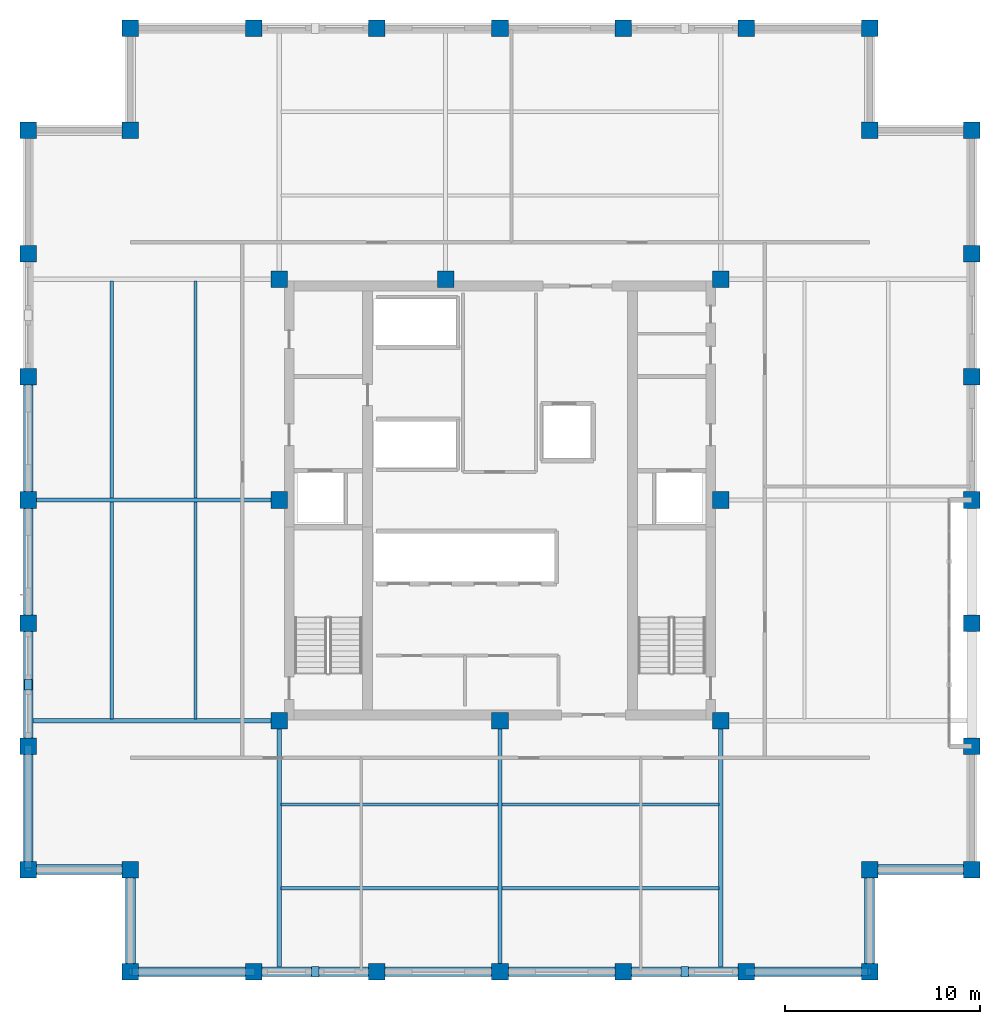
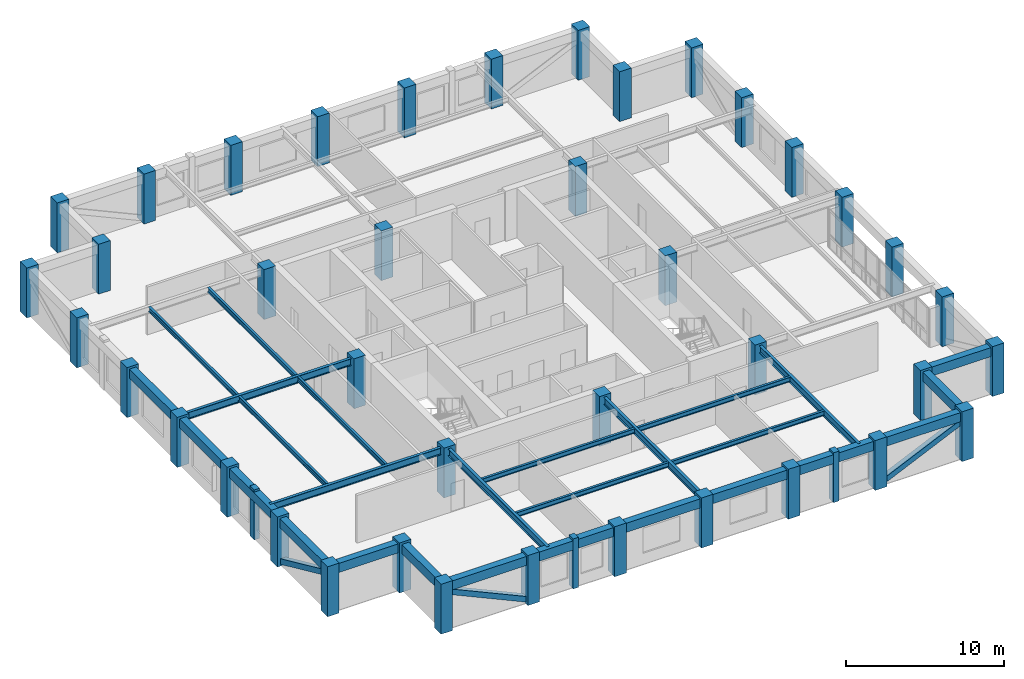
# One storey, part 1 of 10: 40 columns, 27 beams, 6 members.
"""IFC4 building model written with IfcOpenShell, lengths in metres."""

from ifc_helpers import new_model, si_unit, direction, frame, origin, origin_2d, place, context, subcontext, project, spatial, rectangle, hollow_rectangle, i_section, extrude, material, material_profile, profile_set, type_object, element, save


model = new_model("IFC4")

# Units and contexts
model_context = context("Model", 3, precision=1e-05, world=origin(), true_north=direction((0.0, 1.0)))
body_context = subcontext(model_context, "Body", "Model", "MODEL_VIEW")
ifc_project = project(units=[si_unit("LENGTHUNIT", "METRE"), si_unit("AREAUNIT", "SQUARE_METRE"), si_unit("VOLUMEUNIT", "CUBIC_METRE"), si_unit("PLANEANGLEUNIT", "RADIAN"), si_unit("MASSUNIT", "GRAM", prefix="KILO")], contexts=[model_context])

# Site, building, storey
site_placement = place(None, origin())
site = spatial("IfcSite", under=ifc_project, at=site_placement, CompositionType="ELEMENT")
building_placement = place(site_placement, origin())
building = spatial("IfcBuilding", under=site, at=building_placement, Name="Nhamokura Convention Tower", CompositionType="ELEMENT")
storey_placement = place(building_placement, frame((0.0, 0.0, 236.949951171875)))
storey = spatial("IfcBuildingStorey", under=building, at=storey_placement, Name="L58", CompositionType="ELEMENT", Elevation=236.949951171875)

# Columns
ifc_material_1 = material(Name="Concrete C50/60", Category="concrete")
ifc_material_profile_1 = material_profile(ifc_material_1, rectangle(XDim=0.85009765625, YDim=0.85009765625, at=origin_2d()))
ifc_profile_set_1 = profile_set([ifc_material_profile_1], Name="Concrete C50/60")
column_type = type_object("IfcColumnType", Name="TubeColumn_Z3_850", PredefinedType="COLUMN", material=ifc_profile_set_1)
for number, where, z_axis, x_axis, name in (
    (1, (20.64990234375, 20.64990234375, 0.0), (0.0, 0.0, 1.0), (1.0, 0.0, 0.0), "L58 Core Column CC-SW"),
    (2, (32.0, 20.64990234375, 0.0), (0.0, 0.0, 1.0), (1.0, 0.0, 0.0), "L58 Core Column CC-S"),
    (3, (43.35009765625, 20.64990234375, 0.0), (0.0, 0.0, 1.0), (1.0, 0.0, 0.0), "L58 Core Column CC-SE"),
    (4, (43.35009765625, 32.0, 0.0), (0.0, 0.0, 1.0), (1.0, 0.0, 0.0), "L58 Core Column CC-E"),
    (5, (43.35009765625, 43.35009765625, 0.0), (0.0, 0.0, 1.0), (1.0, 0.0, 0.0), "L58 Core Column CC-NE"),
    (6, (29.199951171875, 43.35009765625, 0.0), (0.0, 0.0, 1.0), (1.0, 0.0, 0.0), "L58 Core Column CC-N"),
    (7, (20.64990234375, 43.35009765625, 0.0), (0.0, 0.0, 1.0), (1.0, 0.0, 0.0), "L58 Core Column CC-NW"),
    (8, (20.64990234375, 32.0, 0.0), (0.0, 0.0, 1.0), (1.0, 0.0, 0.0), "L58 Core Column CC-W"),
    (9, (13.0, 7.75, 0.0), (0.0, 0.0, 1.0), (1.0, 0.0, 0.0), "L58 Perimeter Tube Column SW1"),
    (10, (13.0, 13.0, 0.0), (0.0, 0.0, 1.0), (1.0, 0.0, 0.0), "L58 Perimeter Tube Column SW0"),
    (11, (7.75, 13.0, 0.0), (0.0, 0.0, 1.0), (1.0, 0.0, 0.0), "L58 Perimeter Tube Column SW2"),
    (12, (51.0, 7.75, 0.0), (0.0, 0.0, 1.0), (1.0, 0.0, 0.0), "L58 Perimeter Tube Column SE1"),
    (13, (51.0, 13.0, 0.0), (0.0, 0.0, 1.0), (1.0, 0.0, 0.0), "L58 Perimeter Tube Column SE0"),
    (14, (56.25, 13.0, 0.0), (0.0, 0.0, 1.0), (1.0, 0.0, 0.0), "L58 Perimeter Tube Column SE2"),
    (15, (56.25, 51.0, 0.0), (0.0, 0.0, 1.0), (1.0, 0.0, 0.0), "L58 Perimeter Tube Column NE1"),
    (16, (51.0, 51.0, 0.0), (0.0, 0.0, 1.0), (1.0, 0.0, 0.0), "L58 Perimeter Tube Column NE0"),
    (17, (51.0, 56.25, 0.0), (0.0, 0.0, 1.0), (1.0, 0.0, 0.0), "L58 Perimeter Tube Column NE2"),
    (18, (13.0, 56.25, 0.0), (0.0, 0.0, 1.0), (1.0, 0.0, 0.0), "L58 Perimeter Tube Column NW1"),
    (19, (13.0, 51.0, 0.0), (0.0, 0.0, 1.0), (1.0, 0.0, 0.0), "L58 Perimeter Tube Column NW0"),
    (20, (7.75, 51.0, 0.0), (0.0, 0.0, 1.0), (1.0, 0.0, 0.0), "L58 Perimeter Tube Column NW2"),
    (21, (19.333251953125, 7.75, 0.0), (0.0, 0.0, 1.0), (1.0, 0.0, 0.0), "L58 Perimeter Tube Column S1"),
    (22, (19.333251953125, 56.25, 0.0), (0.0, 0.0, 1.0), (1.0, 0.0, 0.0), "L58 Perimeter Tube Column N1"),
    (23, (7.75, 19.333251953125, 0.0), (0.0, 0.0, 1.0), (1.0, 0.0, 0.0), "L58 Perimeter Tube Column W1"),
    (24, (56.25, 19.333251953125, 0.0), (0.0, 0.0, 1.0), (1.0, 0.0, 0.0), "L58 Perimeter Tube Column E1"),
    (25, (25.666748046875, 7.75, 0.0), (0.0, 0.0, 1.0), (1.0, 0.0, 0.0), "L58 Perimeter Tube Column S2"),
    (26, (25.666748046875, 56.25, 0.0), (0.0, 0.0, 1.0), (1.0, 0.0, 0.0), "L58 Perimeter Tube Column N2"),
    (27, (7.75, 25.666748046875, 0.0), (0.0, 0.0, 1.0), (1.0, 0.0, 0.0), "L58 Perimeter Tube Column W2"),
    (28, (56.25, 25.666748046875, 0.0), (0.0, 0.0, 1.0), (1.0, 0.0, 0.0), "L58 Perimeter Tube Column E2"),
    (29, (32.0, 7.75, 0.0), (0.0, 0.0, 1.0), (1.0, 0.0, 0.0), "L58 Perimeter Tube Column S3"),
    (30, (32.0, 56.25, 0.0), (0.0, 0.0, 1.0), (1.0, 0.0, 0.0), "L58 Perimeter Tube Column N3"),
    (31, (7.75, 32.0, 0.0), (0.0, 0.0, 1.0), (1.0, 0.0, 0.0), "L58 Perimeter Tube Column W3"),
    (32, (56.25, 32.0, 0.0), (0.0, 0.0, 1.0), (1.0, 0.0, 0.0), "L58 Perimeter Tube Column E3"),
    (33, (38.333251953125, 7.75, 0.0), (0.0, 0.0, 1.0), (1.0, 0.0, 0.0), "L58 Perimeter Tube Column S4"),
    (34, (38.333251953125, 56.25, 0.0), (0.0, 0.0, 1.0), (1.0, 0.0, 0.0), "L58 Perimeter Tube Column N4"),
    (35, (7.75, 38.333251953125, 0.0), (0.0, 0.0, 1.0), (1.0, 0.0, 0.0), "L58 Perimeter Tube Column W4"),
    (36, (56.25, 38.333251953125, 0.0), (0.0, 0.0, 1.0), (1.0, 0.0, 0.0), "L58 Perimeter Tube Column E4"),
    (37, (44.666748046875, 7.75, 0.0), (0.0, 0.0, 1.0), (1.0, 0.0, 0.0), "L58 Perimeter Tube Column S5"),
    (38, (44.666748046875, 56.25, 0.0), (0.0, 0.0, 1.0), (1.0, 0.0, 0.0), "L58 Perimeter Tube Column N5"),
    (39, (7.75, 44.666748046875, 0.0), (0.0, 0.0, 1.0), (1.0, 0.0, 0.0), "L58 Perimeter Tube Column W5"),
    (40, (56.25, 44.666748046875, 0.0), (0.0, 0.0, 1.0), (1.0, 0.0, 0.0), "L58 Perimeter Tube Column E5"),
):
    element("IfcColumn", number, at=place(storey_placement, frame(where, z_axis=z_axis, x_axis=x_axis)), inside=storey, type_object=column_type, Name=name, PredefinedType="COLUMN", context=body_context, shape_type="SweptSolid", body=[
        extrude(rectangle(XDim=0.85009765625, YDim=0.85009765625, at=origin_2d()), origin(), (0.0, 0.0, 1.0), 3.85009765625),
    ])

# Members
ifc_material_2 = material(Name="Bronze-pigmented precast concrete C45/55", Category="concrete")
ifc_material_profile_2 = material_profile(ifc_material_2, rectangle(XDim=0.39990234375, YDim=0.550048828125, at=origin_2d()))
ifc_profile_set_2 = profile_set([ifc_material_profile_2], Name="Bronze-pigmented precast concrete C45/55")
member_type_1 = type_object("IfcMemberType", Name="BronzePilaster_550", PredefinedType="USERDEFINED", material=ifc_profile_set_2)
for number, where, z_axis, x_axis, name in (
    (41, (22.5, 7.75, 0.0), (0.0, 0.0, 1.0), (1.0, 0.0, 0.0), "L58 Engaged Frame Pilaster SOUTH 1"),
    (42, (41.5, 7.75, 0.0), (0.0, 0.0, 1.0), (1.0, 0.0, 0.0), "L58 Engaged Frame Pilaster SOUTH 4"),
    (43, (7.75, 22.5, 0.0), (0.0, 0.0, 1.0), (1.0, 0.0, 0.0), "L58 Engaged Frame Pilaster WEST 1"),
):
    element("IfcMember", number, at=place(storey_placement, frame(where, z_axis=z_axis, x_axis=x_axis)), inside=storey, type_object=member_type_1, Name=name, ObjectType="PILASTER_TRIM", PredefinedType="USERDEFINED", context=body_context, shape_type="SweptSolid", body=[
        extrude(rectangle(XDim=0.39990234375, YDim=0.550048828125, at=origin_2d()), origin(), (0.0, 0.0, 1.0), 3.85009765625),
    ])

# Beams
ifc_material_3 = material(Name="Steel ASTM A992 Gr 50", Category="steel")
ifc_material_profile_3 = material_profile(ifc_material_3, i_section(OverallWidth=0.172119140625, OverallDepth=0.35791015625, WebThickness=0.0078125, FlangeThickness=0.01318359375, at=origin_2d()))
ifc_profile_set_3 = profile_set([ifc_material_profile_3], Name="Steel ASTM A992 Gr 50")
beam_type_1 = type_object("IfcBeamType", Name="FloorJoist_W360X57", PredefinedType="JOIST", material=ifc_profile_set_3)
for number, where, z_axis, x_axis, name in (
    (44, (20.75341796875, 12.050048828125, 3.506103515625), (1.0, 0.0, 0.0), (0.0, 1.0, 0.0), "L58 Composite Floor Joist S1A"),
    (45, (32.103515625, 12.050048828125, 3.506103515625), (1.0, 0.0, 0.0), (0.0, 1.0, 0.0), "L58 Composite Floor Joist S1B"),
    (46, (20.75341796875, 16.35009765625, 3.506103515625), (1.0, 0.0, 0.0), (0.0, 1.0, 0.0), "L58 Composite Floor Joist S2A"),
    (47, (32.103515625, 16.35009765625, 3.506103515625), (1.0, 0.0, 0.0), (0.0, 1.0, 0.0), "L58 Composite Floor Joist S2B"),
    (48, (12.050048828125, 20.75341796875, 3.506103515625), (0.0, 1.0, 0.0), (-1.0, 0.0, 0.0), "L58 Composite Floor Joist W1A"),
    (49, (12.050048828125, 32.103515625, 3.506103515625), (0.0, 1.0, 0.0), (-1.0, 0.0, 0.0), "L58 Composite Floor Joist W1B"),
    (50, (16.35009765625, 20.75341796875, 3.506103515625), (0.0, 1.0, 0.0), (-1.0, 0.0, 0.0), "L58 Composite Floor Joist W2A"),
    (51, (16.35009765625, 32.103515625, 3.506103515625), (0.0, 1.0, 0.0), (-1.0, 0.0, 0.0), "L58 Composite Floor Joist W2B"),
):
    element("IfcBeam", number, at=place(storey_placement, frame(where, z_axis=z_axis, x_axis=x_axis)), inside=storey, type_object=beam_type_1, Name=name, PredefinedType="JOIST", context=body_context, shape_type="SweptSolid", body=[
        extrude(i_section(OverallWidth=0.172119140625, OverallDepth=0.35791015625, WebThickness=0.0078125, FlangeThickness=0.01318359375, at=origin_2d()), origin(), (0.0, 0.0, 1.0), 11.14306640625),
    ])
ifc_material_4 = material(Name="Steel ASTM A992 Gr 50", Category="steel")
ifc_material_profile_4 = material_profile(ifc_material_4, i_section(OverallWidth=0.2109375, OverallDepth=0.5390625, WebThickness=0.01171875, FlangeThickness=0.018798828125, at=origin_2d()))
ifc_profile_set_4 = profile_set([ifc_material_profile_4], Name="Steel ASTM A992 Gr 50")
beam_type_2 = type_object("IfcBeamType", Name="PrimaryGirder_W530X109", PredefinedType="BEAM", material=ifc_profile_set_4)
for number, where, z_axis, x_axis, name in (
    (52, (20.64990234375, 7.75, 3.41552734375), (0.0, 1.0, 0.0), (-1.0, 0.0, 0.0), "L58 Primary Floor Girder PG-S1"),
    (53, (32.0, 7.75, 3.41552734375), (0.0, 1.0, 0.0), (-1.0, 0.0, 0.0), "L58 Primary Floor Girder PG-S2"),
    (54, (43.35009765625, 7.75, 3.41552734375), (0.0, 1.0, 0.0), (-1.0, 0.0, 0.0), "L58 Primary Floor Girder PG-S3"),
    (55, (7.75, 20.64990234375, 3.41552734375), (1.0, 0.0, 0.0), (0.0, 1.0, 0.0), "L58 Primary Floor Girder PG-W1"),
    (56, (7.75, 32.0, 3.41552734375), (1.0, 0.0, 0.0), (0.0, 1.0, 0.0), "L58 Primary Floor Girder PG-W2"),
):
    element("IfcBeam", number, at=place(storey_placement, frame(where, z_axis=z_axis, x_axis=x_axis)), inside=storey, type_object=beam_type_2, Name=name, PredefinedType="BEAM", context=body_context, shape_type="SweptSolid", body=[
        extrude(i_section(OverallWidth=0.2109375, OverallDepth=0.5390625, WebThickness=0.01171875, FlangeThickness=0.018798828125, at=origin_2d()), origin(), (0.0, 0.0, 1.0), 12.89990234375),
    ])

# Members
ifc_material_5 = material(Name="Steel ASTM A572 Gr 50", Category="steel")
ifc_material_profile_5 = material_profile(ifc_material_5, hollow_rectangle(XDim=0.39990234375, YDim=0.39990234375, WallThickness=0.02001953125, at=origin_2d()))
ifc_profile_set_5 = profile_set([ifc_material_profile_5], Name="Steel ASTM A572 Gr 50")
member_type_2 = type_object("IfcMemberType", Name="TubeBrace_HSS400", PredefinedType="BRACE", material=ifc_profile_set_5)
for number, where, z_axis, x_axis, name in (
    (57, (19.333251953125, 7.75, 0.150146484375), (-0.910027379678, 0.0, 0.41454814948), (0.0, -1.0, 0.0), "L58 Perimeter Tube Brace SOUTH Bay 0"),
    (58, (44.666748046875, 7.75, 0.150146484375), (0.910027379678, 0.0, 0.41454814948), (0.0, 1.0, 0.0), "L58 Perimeter Tube Brace SOUTH Bay 5"),
    (59, (7.75, 19.333251953125, 0.150146484375), (0.0, -0.910027379678, 0.41454814948), (1.0, 0.0, 0.0), "L58 Perimeter Tube Brace WEST Bay 0"),
):
    element("IfcMember", number, at=place(storey_placement, frame(where, z_axis=z_axis, x_axis=x_axis)), inside=storey, type_object=member_type_2, Name=name, PredefinedType="BRACE", context=body_context, shape_type="SweptSolid", body=[
        extrude(hollow_rectangle(XDim=0.39990234375, YDim=0.39990234375, WallThickness=0.02001953125, at=origin_2d()), origin(), (0.0, 0.0, 1.0), 6.95947265625),
    ])

# Beams
ifc_material_6 = material(Name="Concrete C50/60", Category="concrete")
ifc_material_profile_6 = material_profile(ifc_material_6, rectangle(XDim=0.5, YDim=0.699951171875, at=origin_2d()))
ifc_profile_set_6 = profile_set([ifc_material_profile_6], Name="Concrete C50/60")
beam_type_3 = type_object("IfcBeamType", Name="TubeSpandrel_700", PredefinedType="SPANDREL", material=ifc_profile_set_6)
beam_1_placement = place(storey_placement, frame((13.0, 7.75, 3.3349609375), z_axis=(1.0, 0.0, 0.0), x_axis=(0.0, 1.0, 0.0)))
element("IfcBeam", 60, at=beam_1_placement, inside=storey, type_object=beam_type_3, Name="L58 Perimeter Spandrel SOUTH 1", PredefinedType="SPANDREL", context=body_context, shape_type="SweptSolid", body=[
    extrude(rectangle(XDim=0.5, YDim=0.699951171875, at=origin_2d()), origin(), (0.0, 0.0, 1.0), 6.333251953125),
])
beam_2_placement = place(storey_placement, frame((19.333251953125, 7.75, 3.3349609375), z_axis=(1.0, 0.0, 0.0), x_axis=(0.0, 1.0, 0.0)))
element("IfcBeam", 61, at=beam_2_placement, inside=storey, type_object=beam_type_3, Name="L58 Perimeter Spandrel SOUTH 2", PredefinedType="SPANDREL", context=body_context, shape_type="SweptSolid", body=[
    extrude(rectangle(XDim=0.5, YDim=0.699951171875, at=origin_2d()), origin(), (0.0, 0.0, 1.0), 6.33349609375),
])
for number, where, z_axis, x_axis, name in (
    (62, (25.666748046875, 7.75, 3.3349609375), (1.0, 0.0, 0.0), (0.0, 1.0, 0.0), "L58 Perimeter Spandrel SOUTH 3"),
    (63, (32.0, 7.75, 3.3349609375), (1.0, 0.0, 0.0), (0.0, 1.0, 0.0), "L58 Perimeter Spandrel SOUTH 4"),
):
    element("IfcBeam", number, at=place(storey_placement, frame(where, z_axis=z_axis, x_axis=x_axis)), inside=storey, type_object=beam_type_3, Name=name, PredefinedType="SPANDREL", context=body_context, shape_type="SweptSolid", body=[
        extrude(rectangle(XDim=0.5, YDim=0.699951171875, at=origin_2d()), origin(), (0.0, 0.0, 1.0), 6.333251953125),
    ])
beam_3_placement = place(storey_placement, frame((38.333251953125, 7.75, 3.3349609375), z_axis=(1.0, 0.0, 0.0), x_axis=(0.0, 1.0, 0.0)))
element("IfcBeam", 64, at=beam_3_placement, inside=storey, type_object=beam_type_3, Name="L58 Perimeter Spandrel SOUTH 5", PredefinedType="SPANDREL", context=body_context, shape_type="SweptSolid", body=[
    extrude(rectangle(XDim=0.5, YDim=0.699951171875, at=origin_2d()), origin(), (0.0, 0.0, 1.0), 6.33349609375),
])
for number, where, z_axis, x_axis, name in (
    (65, (44.666748046875, 7.75, 3.3349609375), (1.0, 0.0, 0.0), (0.0, 1.0, 0.0), "L58 Perimeter Spandrel SOUTH 6"),
    (66, (7.75, 13.0, 3.3349609375), (0.0, 1.0, 0.0), (-1.0, 0.0, 0.0), "L58 Perimeter Spandrel WEST 1"),
):
    element("IfcBeam", number, at=place(storey_placement, frame(where, z_axis=z_axis, x_axis=x_axis)), inside=storey, type_object=beam_type_3, Name=name, PredefinedType="SPANDREL", context=body_context, shape_type="SweptSolid", body=[
        extrude(rectangle(XDim=0.5, YDim=0.699951171875, at=origin_2d()), origin(), (0.0, 0.0, 1.0), 6.333251953125),
    ])
beam_4_placement = place(storey_placement, frame((7.75, 19.333251953125, 3.3349609375), z_axis=(0.0, 1.0, 0.0), x_axis=(-1.0, 0.0, 0.0)))
element("IfcBeam", 67, at=beam_4_placement, inside=storey, type_object=beam_type_3, Name="L58 Perimeter Spandrel WEST 2", PredefinedType="SPANDREL", context=body_context, shape_type="SweptSolid", body=[
    extrude(rectangle(XDim=0.5, YDim=0.699951171875, at=origin_2d()), origin(), (0.0, 0.0, 1.0), 6.33349609375),
])
for number, where, z_axis, x_axis, name in (
    (68, (7.75, 25.666748046875, 3.3349609375), (0.0, 1.0, 0.0), (-1.0, 0.0, 0.0), "L58 Perimeter Spandrel WEST 3"),
    (69, (7.75, 32.0, 3.3349609375), (0.0, 1.0, 0.0), (-1.0, 0.0, 0.0), "L58 Perimeter Spandrel WEST 4"),
):
    element("IfcBeam", number, at=place(storey_placement, frame(where, z_axis=z_axis, x_axis=x_axis)), inside=storey, type_object=beam_type_3, Name=name, PredefinedType="SPANDREL", context=body_context, shape_type="SweptSolid", body=[
        extrude(rectangle(XDim=0.5, YDim=0.699951171875, at=origin_2d()), origin(), (0.0, 0.0, 1.0), 6.333251953125),
    ])
for number, where, z_axis, x_axis, name in (
    (70, (13.0, 7.75, 3.3349609375), (0.0, 1.0, 0.0), (-1.0, 0.0, 0.0), "L58 Notch Spandrel SW1"),
    (71, (13.0, 13.0, 3.3349609375), (-1.0, 0.0, 0.0), (0.0, -1.0, 0.0), "L58 Notch Spandrel SW2"),
    (72, (51.0, 7.75, 3.3349609375), (0.0, 1.0, 0.0), (-1.0, 0.0, 0.0), "L58 Notch Spandrel SE1"),
    (73, (51.0, 13.0, 3.3349609375), (1.0, 0.0, 0.0), (0.0, 1.0, 0.0), "L58 Notch Spandrel SE2"),
):
    element("IfcBeam", number, at=place(storey_placement, frame(where, z_axis=z_axis, x_axis=x_axis)), inside=storey, type_object=beam_type_3, Name=name, PredefinedType="SPANDREL", context=body_context, shape_type="SweptSolid", body=[
        extrude(rectangle(XDim=0.5, YDim=0.699951171875, at=origin_2d()), origin(), (0.0, 0.0, 1.0), 5.25),
    ])

save(model, "model.ifc")
